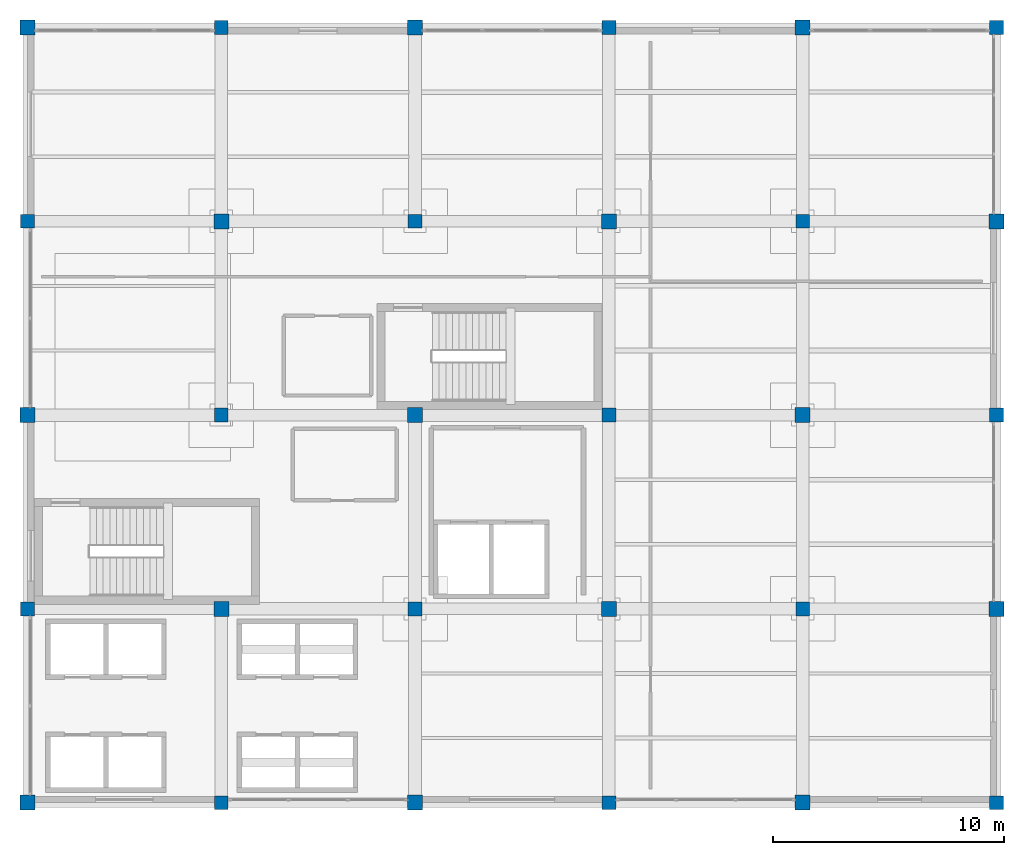
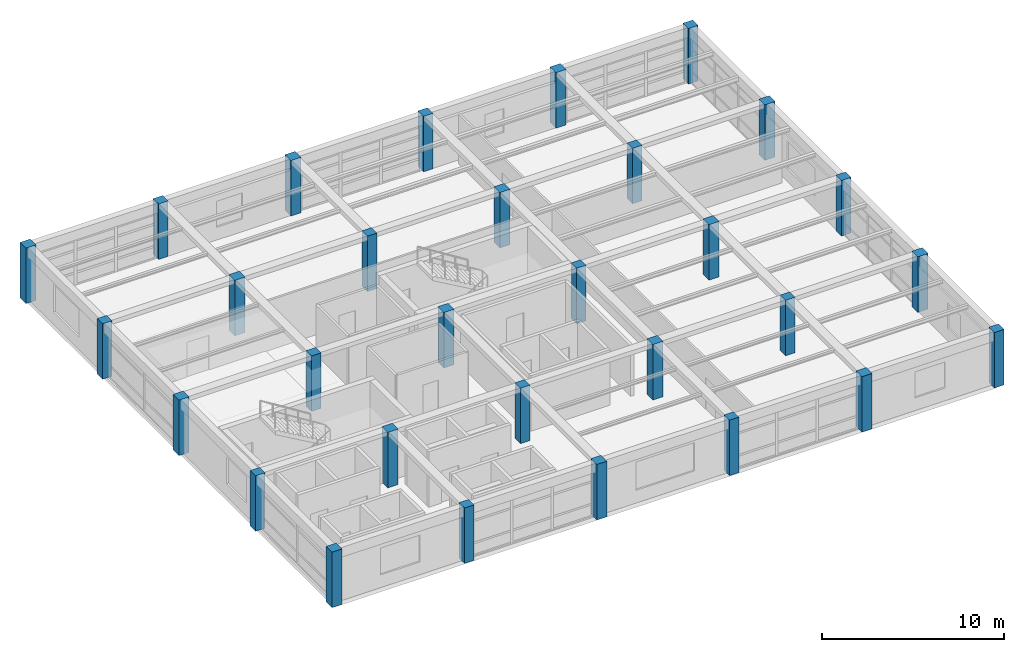
# One storey, part 1 of 26: 30 columns.
"""IFC4 building model written with IfcOpenShell, lengths in metres."""

from ifc_helpers import new_model, si_unit, direction, frame, origin, origin_2d, place, context, subcontext, project, spatial, rectangle, extrude, material, material_profile, profile_set, type_object, element, save


model = new_model("IFC4")

# Units and contexts
model_context = context("Model", 3, precision=1e-05, world=origin(), true_north=direction((0.0, 1.0)))
body_context = subcontext(model_context, "Body", "Model", "MODEL_VIEW")
ifc_project = project(units=[si_unit("LENGTHUNIT", "METRE"), si_unit("AREAUNIT", "SQUARE_METRE"), si_unit("VOLUMEUNIT", "CUBIC_METRE"), si_unit("PLANEANGLEUNIT", "RADIAN"), si_unit("MASSUNIT", "GRAM", prefix="KILO")], contexts=[model_context])

# Site, building, storey
site_placement = place(None, origin())
site = spatial("IfcSite", under=ifc_project, at=site_placement, CompositionType="ELEMENT")
building_placement = place(site_placement, origin())
building = spatial("IfcBuilding", under=site, at=building_placement, Name="Almacenes y Pasaje Nevantli", CompositionType="ELEMENT")
storey_placement = place(building_placement, frame((0.0, 0.0, 46.699951171875)))
storey = spatial("IfcBuildingStorey", under=building, at=storey_placement, Name="L11", CompositionType="ELEMENT", Elevation=46.699951171875)

# Columns
ifc_material_1 = material(Name="Concrete C45/55", Category="concrete")
ifc_material_profile_1 = material_profile(ifc_material_1, rectangle(XDim=0.60009765625, YDim=0.60009765625, at=origin_2d()), Name="RC-COL-600x600")
ifc_profile_set_1 = profile_set([ifc_material_profile_1], Name="Concrete C45/55")
column_type_1 = type_object("IfcColumnType", Name="COL-RC-600", PredefinedType="COLUMN", material=ifc_profile_set_1)
for number, where, z_axis, x_axis, name in (
    (1, (117.60009765625, 75.60009765625, 0.0), (0.0, 0.0, 1.0), (1.0, 0.0, 0.0), "L11 Reinforced Concrete Column CL-08 #2242"),
    (2, (117.60009765625, 92.39990234375, 0.0), (0.0, 0.0, 1.0), (1.0, 0.0, 0.0), "L11 Reinforced Concrete Column CL-08 #2244"),
    (3, (126.0, 67.199951171875, 0.0), (0.0, 0.0, 1.0), (1.0, 0.0, 0.0), "L11 Reinforced Concrete Column CL-08 #2246"),
    (4, (126.0, 84.0, 0.0), (0.0, 0.0, 1.0), (1.0, 0.0, 0.0), "L11 Reinforced Concrete Column CL-08 #2248"),
    (5, (126.0, 100.800048828125, 0.0), (0.0, 0.0, 1.0), (1.0, 0.0, 0.0), "L11 Reinforced Concrete Column CL-08 #2250"),
    (6, (134.39990234375, 75.60009765625, 0.0), (0.0, 0.0, 1.0), (1.0, 0.0, 0.0), "L11 Reinforced Concrete Column CL-08 #2252"),
    (7, (134.39990234375, 92.39990234375, 0.0), (0.0, 0.0, 1.0), (1.0, 0.0, 0.0), "L11 Reinforced Concrete Column CL-08 #2254"),
    (8, (142.800048828125, 67.199951171875, 0.0), (0.0, 0.0, 1.0), (1.0, 0.0, 0.0), "L11 Reinforced Concrete Column CL-08 #2256"),
    (9, (142.800048828125, 84.0, 0.0), (0.0, 0.0, 1.0), (1.0, 0.0, 0.0), "L11 Reinforced Concrete Column CL-08 #2258"),
    (10, (142.800048828125, 100.800048828125, 0.0), (0.0, 0.0, 1.0), (1.0, 0.0, 0.0), "L11 Reinforced Concrete Column CL-08 #2260"),
    (11, (151.199951171875, 75.60009765625, 0.0), (0.0, 0.0, 1.0), (1.0, 0.0, 0.0), "L11 Reinforced Concrete Column CL-08 #2262"),
    (12, (151.199951171875, 92.39990234375, 0.0), (0.0, 0.0, 1.0), (1.0, 0.0, 0.0), "L11 Reinforced Concrete Column CL-08 #2264"),
    (13, (159.60009765625, 67.199951171875, 0.0), (0.0, 0.0, 1.0), (1.0, 0.0, 0.0), "L11 Reinforced Concrete Column CL-08 #2266"),
    (14, (159.60009765625, 84.0, 0.0), (0.0, 0.0, 1.0), (1.0, 0.0, 0.0), "L11 Reinforced Concrete Column CL-08 #2268"),
    (15, (159.60009765625, 100.800048828125, 0.0), (0.0, 0.0, 1.0), (1.0, 0.0, 0.0), "L11 Reinforced Concrete Column CL-08 #2270"),
):
    element("IfcColumn", number, at=place(storey_placement, frame(where, z_axis=z_axis, x_axis=x_axis)), inside=storey, type_object=column_type_1, Name=name, PredefinedType="COLUMN", context=body_context, shape_type="SweptSolid", body=[
        extrude(rectangle(XDim=0.60009765625, YDim=0.60009765625, at=origin_2d()), origin(), (0.0, 0.0, 1.0), 3.719970703125),
    ])
ifc_material_2 = material(Name="Concrete C45/55", Category="concrete")
ifc_material_profile_2 = material_profile(ifc_material_2, rectangle(XDim=0.64990234375, YDim=0.64990234375, at=origin_2d()), Name="RC-COL-650x650")
ifc_profile_set_2 = profile_set([ifc_material_profile_2], Name="Concrete C45/55")
column_type_2 = type_object("IfcColumnType", Name="COL-RC-650", PredefinedType="COLUMN", material=ifc_profile_set_2)
for number, where, z_axis, x_axis, name in (
    (16, (117.60009765625, 67.199951171875, 0.0), (0.0, 0.0, 1.0), (1.0, 0.0, 0.0), "L11 Reinforced Concrete Column CL-07 #2241"),
    (17, (117.60009765625, 84.0, 0.0), (0.0, 0.0, 1.0), (1.0, 0.0, 0.0), "L11 Reinforced Concrete Column CL-07 #2243"),
    (18, (117.60009765625, 100.800048828125, 0.0), (0.0, 0.0, 1.0), (1.0, 0.0, 0.0), "L11 Reinforced Concrete Column CL-07 #2245"),
    (19, (126.0, 75.60009765625, 0.0), (0.0, 0.0, 1.0), (1.0, 0.0, 0.0), "L11 Reinforced Concrete Column CL-07 #2247"),
    (20, (126.0, 92.39990234375, 0.0), (0.0, 0.0, 1.0), (1.0, 0.0, 0.0), "L11 Reinforced Concrete Column CL-07 #2249"),
    (21, (134.39990234375, 67.199951171875, 0.0), (0.0, 0.0, 1.0), (1.0, 0.0, 0.0), "L11 Reinforced Concrete Column CL-07 #2251"),
    (22, (134.39990234375, 84.0, 0.0), (0.0, 0.0, 1.0), (1.0, 0.0, 0.0), "L11 Reinforced Concrete Column CL-07 #2253"),
    (23, (134.39990234375, 100.800048828125, 0.0), (0.0, 0.0, 1.0), (1.0, 0.0, 0.0), "L11 Reinforced Concrete Column CL-07 #2255"),
    (24, (142.800048828125, 75.60009765625, 0.0), (0.0, 0.0, 1.0), (1.0, 0.0, 0.0), "L11 Reinforced Concrete Column CL-07 #2257"),
    (25, (142.800048828125, 92.39990234375, 0.0), (0.0, 0.0, 1.0), (1.0, 0.0, 0.0), "L11 Reinforced Concrete Column CL-07 #2259"),
    (26, (151.199951171875, 67.199951171875, 0.0), (0.0, 0.0, 1.0), (1.0, 0.0, 0.0), "L11 Reinforced Concrete Column CL-07 #2261"),
    (27, (151.199951171875, 84.0, 0.0), (0.0, 0.0, 1.0), (1.0, 0.0, 0.0), "L11 Reinforced Concrete Column CL-07 #2263"),
    (28, (151.199951171875, 100.800048828125, 0.0), (0.0, 0.0, 1.0), (1.0, 0.0, 0.0), "L11 Reinforced Concrete Column CL-07 #2265"),
    (29, (159.60009765625, 75.60009765625, 0.0), (0.0, 0.0, 1.0), (1.0, 0.0, 0.0), "L11 Reinforced Concrete Column CL-07 #2267"),
    (30, (159.60009765625, 92.39990234375, 0.0), (0.0, 0.0, 1.0), (1.0, 0.0, 0.0), "L11 Reinforced Concrete Column CL-07 #2269"),
):
    element("IfcColumn", number, at=place(storey_placement, frame(where, z_axis=z_axis, x_axis=x_axis)), inside=storey, type_object=column_type_2, Name=name, PredefinedType="COLUMN", context=body_context, shape_type="SweptSolid", body=[
        extrude(rectangle(XDim=0.64990234375, YDim=0.64990234375, at=origin_2d()), origin(), (0.0, 0.0, 1.0), 3.719970703125),
    ])

save(model, "model.ifc")
